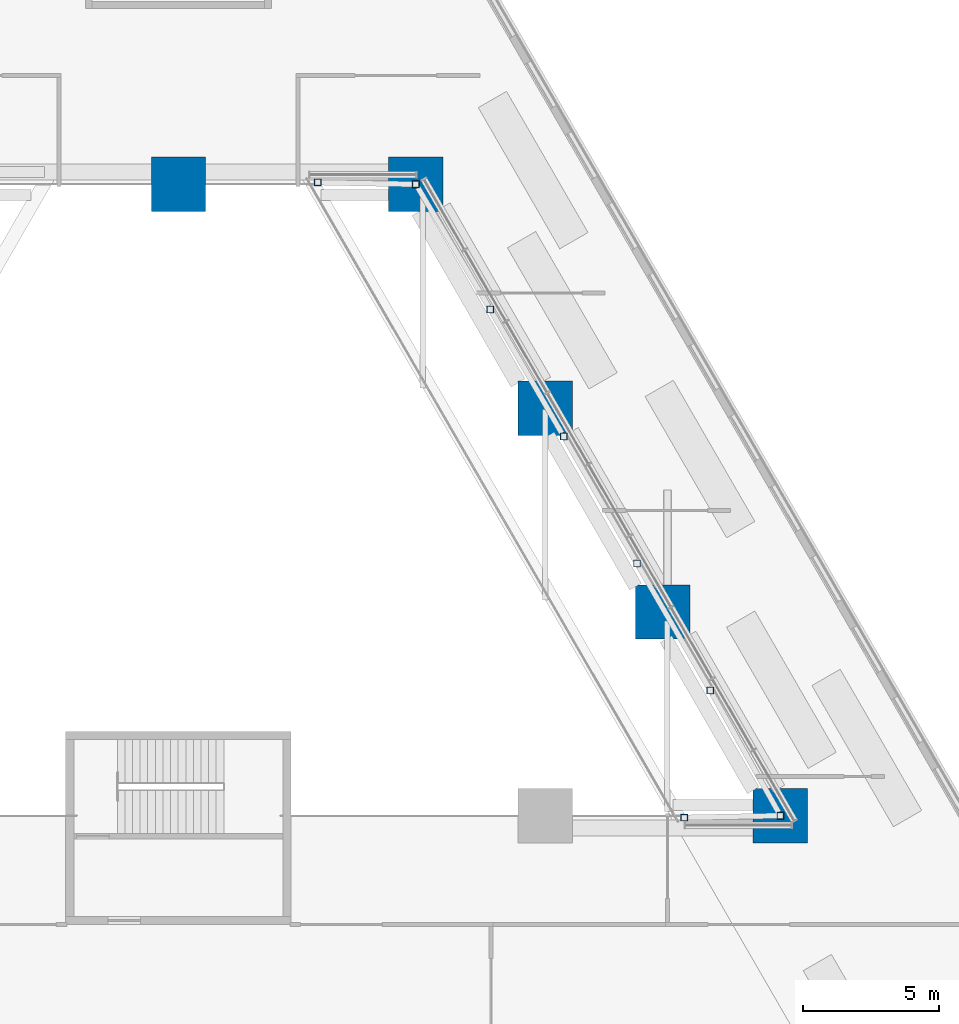
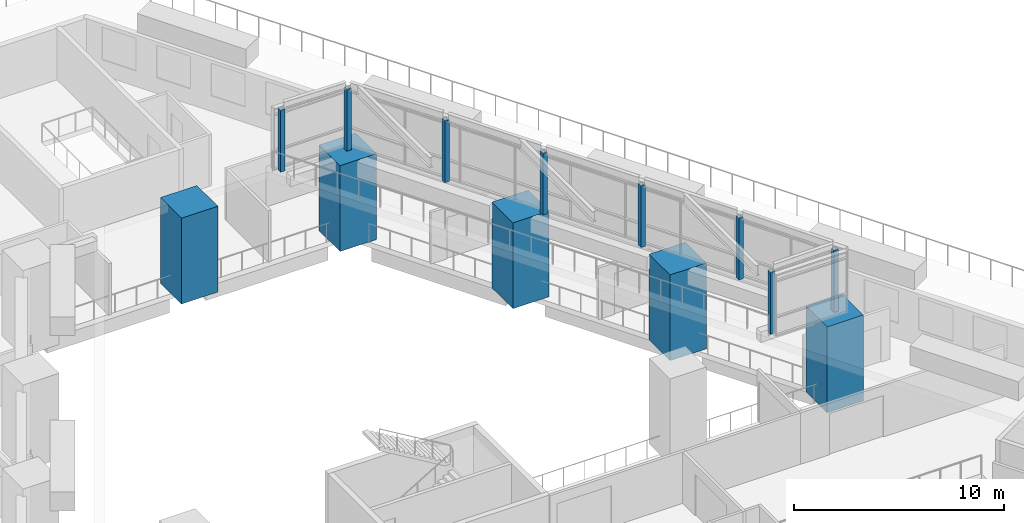
# One storey, part 2 of 19: 13 columns.
"""IFC4 building model written with IfcOpenShell, lengths in metres."""

from ifc_helpers import new_model, si_unit, direction, frame, origin, origin_2d, place, context, subcontext, project, spatial, rectangle, hollow_rectangle, extrude, material, material_profile, profile_set, type_object, element, save


model = new_model("IFC4")

# Units and contexts
model_context = context("Model", 3, precision=1e-05, world=origin(), true_north=direction((0.0, 1.0)))
body_context = subcontext(model_context, "Body", "Model", "MODEL_VIEW")
ifc_project = project(units=[si_unit("LENGTHUNIT", "METRE"), si_unit("AREAUNIT", "SQUARE_METRE"), si_unit("VOLUMEUNIT", "CUBIC_METRE"), si_unit("PLANEANGLEUNIT", "RADIAN"), si_unit("MASSUNIT", "GRAM", prefix="KILO")], contexts=[model_context])

# Site, building, storey
site_placement = place(None, origin())
site = spatial("IfcSite", under=ifc_project, at=site_placement, CompositionType="ELEMENT")
building_placement = place(site_placement, origin())
building = spatial("IfcBuilding", under=site, at=building_placement, Name="Fogline Exchange Tower", CompositionType="ELEMENT")
storey_placement = place(building_placement, frame((0.0, 0.0, 20.0)))
storey = spatial("IfcBuildingStorey", under=building, at=storey_placement, Name="L03", CompositionType="ELEMENT", Elevation=20.0)

# Columns
ifc_material_1 = material(Name="Steel Q355 grade B", Category="steel")
ifc_material_profile_1 = material_profile(ifc_material_1, hollow_rectangle(XDim=0.25, YDim=0.25, WallThickness=0.011962890625, at=origin_2d()), Name="RHS 250x250x12")
ifc_profile_set_1 = profile_set([ifc_material_profile_1], Name="Steel Q355 grade B")
column_type_1 = type_object("IfcColumnType", Name="LC1", PredefinedType="COLUMN", material=ifc_profile_set_1)
for number, where, z_axis, x_axis, name in (
    (1, (8.739990234375, 56.0, 5.0), (0.0, 0.0, 1.0), (1.0, 0.0, 0.0), "Lantern post"),
    (2, (5.12451171875, 56.070068359375, 5.0), (0.0, 0.0, 1.0), (1.0, 0.0, 0.0), "Lantern post"),
    (3, (18.622802734375, 32.68994140625, 5.0), (0.0, 0.0, 1.0), (1.0, 0.0, 0.0), "Lantern post"),
    (4, (22.157958984375, 32.760009765625, 5.0), (0.0, 0.0, 1.0), (1.0, 0.0, 0.0), "Lantern post"),
    (5, (19.579345703125, 37.365966796875, 5.0), (0.0, 0.0, 1.0), (1.0, 0.0, 0.0), "Lantern post"),
    (6, (16.879638671875, 42.0419921875, 5.0), (0.0, 0.0, 1.0), (1.0, 0.0, 0.0), "Lantern post"),
    (7, (14.179931640625, 46.718017578125, 5.0), (0.0, 0.0, 1.0), (1.0, 0.0, 0.0), "Lantern post"),
    (8, (11.480224609375, 51.39404296875, 5.0), (0.0, 0.0, 1.0), (1.0, 0.0, 0.0), "Lantern post"),
):
    element("IfcColumn", number, at=place(storey_placement, frame(where, z_axis=z_axis, x_axis=x_axis)), inside=storey, type_object=column_type_1, Name=name, PredefinedType="COLUMN", context=body_context, shape_type="SweptSolid", body=[
        extrude(hollow_rectangle(XDim=0.25, YDim=0.25, WallThickness=0.011962890625, at=origin_2d()), origin(), (0.0, 0.0, 1.0), 3.60009765625),
    ])
ifc_material_2 = material(Name="Concrete C80", Category="concrete")
ifc_material_profile_2 = material_profile(ifc_material_2, rectangle(XDim=2.0, YDim=2.0, at=origin_2d()), Name="RC 2000x2000")
ifc_profile_set_2 = profile_set([ifc_material_profile_2], Name="Concrete C80")
column_type_2 = type_object("IfcColumnType", Name="MC02", PredefinedType="COLUMN", material=ifc_profile_set_2)
for number, where, z_axis, x_axis, name in (
    (9, (8.739990234375, 56.0, 0.0), (0.0, 0.0, 1.0), (1.0, 0.0, 0.0), "M02"),
    (10, (22.157958984375, 32.760009765625, 0.0), (0.0, 0.0, 1.0), (1.0, 0.0, 0.0), "M03"),
    (11, (0.0, 56.0, 0.0), (0.0, 0.0, 1.0), (1.0, 0.0, 0.0), "M07"),
    (12, (13.5, 47.756103515625, 0.0), (0.0, 0.0, 1.0), (1.0, 0.0, 0.0), "M08"),
    (13, (17.8291015625, 40.258056640625, 0.0), (0.0, 0.0, 1.0), (1.0, 0.0, 0.0), "M10"),
):
    element("IfcColumn", number, at=place(storey_placement, frame(where, z_axis=z_axis, x_axis=x_axis)), inside=storey, type_object=column_type_2, Name=name, PredefinedType="COLUMN", context=body_context, shape_type="SweptSolid", body=[
        extrude(rectangle(XDim=2.0, YDim=2.0, at=origin_2d()), origin(), (0.0, 0.0, 1.0), 5.0),
    ])

save(model, "model.ifc")
